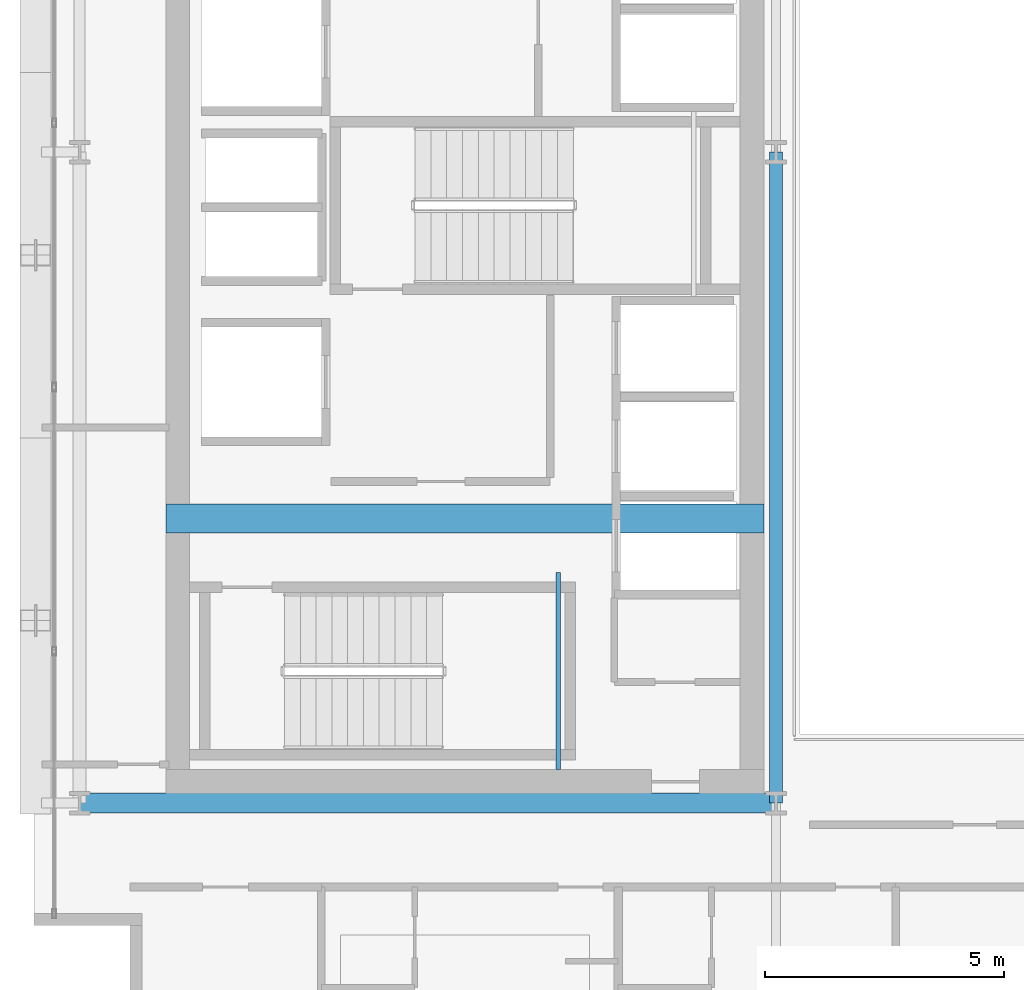
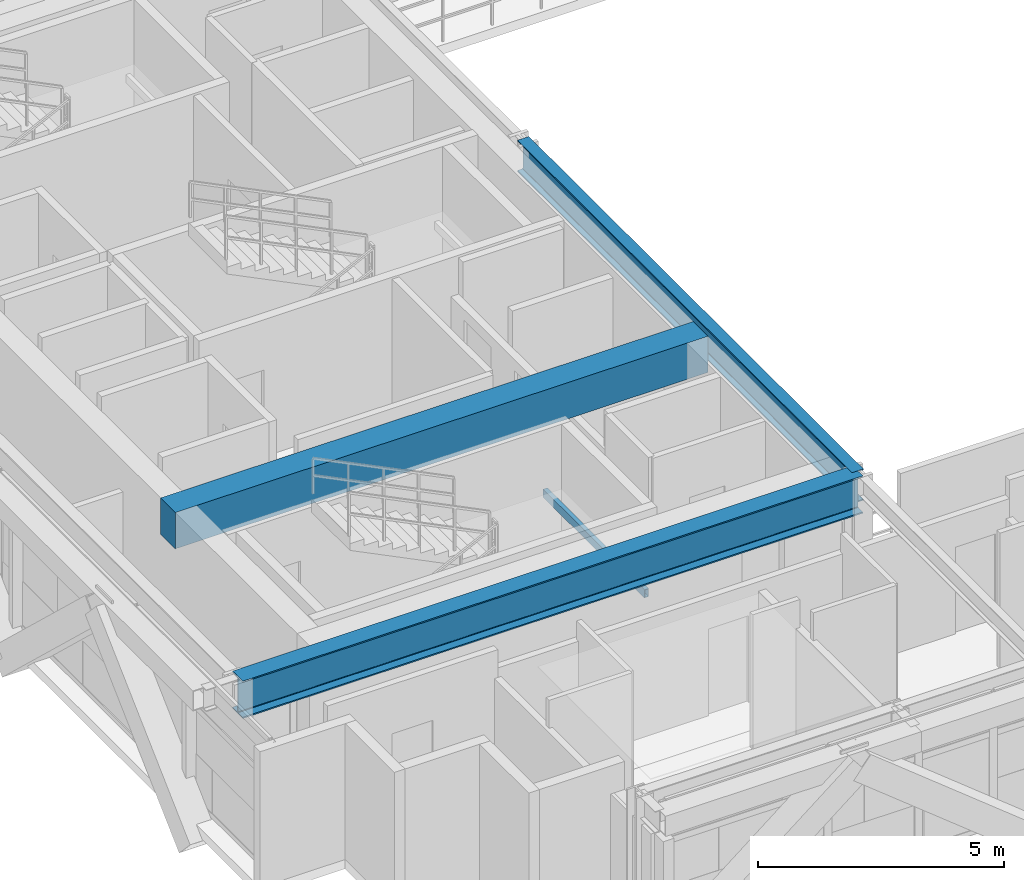
# One storey, part 5 of 31: 4 beams.
"""IFC4 building model written with IfcOpenShell, lengths in metres."""

from ifc_helpers import new_model, si_unit, direction, frame, origin, origin_2d, place, context, subcontext, project, spatial, rectangle, hollow_rectangle, i_section, extrude, source, transform, mapped, material, material_profile, profile_set, type_object, element, save


model = new_model("IFC4")

# Units and contexts
model_context = context("Model", 3, precision=1e-05, world=origin(), true_north=direction((0.0, 1.0)))
body_context = subcontext(model_context, "Body", "Model", "MODEL_VIEW")
ifc_project = project(units=[si_unit("LENGTHUNIT", "METRE"), si_unit("AREAUNIT", "SQUARE_METRE"), si_unit("VOLUMEUNIT", "CUBIC_METRE"), si_unit("PLANEANGLEUNIT", "RADIAN"), si_unit("MASSUNIT", "GRAM", prefix="KILO")], contexts=[model_context])

# Site, building, storey
site_placement = place(None, origin())
site = spatial("IfcSite", under=ifc_project, at=site_placement, CompositionType="ELEMENT")
building_placement = place(site_placement, origin())
building = spatial("IfcBuilding", under=site, at=building_placement, Name="Ocotamira Hotel", CompositionType="ELEMENT")
storey_placement = place(building_placement, frame((0.0, 0.0, 174.0)))
storey = spatial("IfcBuildingStorey", under=building, at=storey_placement, Name="L43", CompositionType="ELEMENT", Elevation=174.0)

# Beams
ifc_material_1 = material(Name="Concrete C50/60", Category="concrete")
ifc_material_profile_1 = material_profile(ifc_material_1, rectangle(XDim=0.60009765625, YDim=0.89990234375, at=origin_2d()), Name="RC600X900")
ifc_profile_set_1 = profile_set([ifc_material_profile_1], Name="Concrete C50/60")
beam_type_1 = type_object("IfcBeamType", Name="BM-LINK-RC600", PredefinedType="LINTEL", material=ifc_profile_set_1)
shared_shape_1 = source(origin(), body_context, "Body", "SweptSolid", [
    extrude(rectangle(XDim=0.60009765625, YDim=0.89990234375, at=origin_2d()), origin(), (0.0, 0.0, 1.0), 12.5),
])
beam_1_placement = place(storey_placement, frame((10.75, 20.5, 2.919921875), z_axis=(1.0, 0.0, 0.0), x_axis=(0.0, 1.0, 0.0)))
element("IfcBeam", 1, at=beam_1_placement, inside=storey, type_object=beam_type_1, Name="L43 West Core Coupling Beam", PredefinedType="LINTEL", context=body_context, shape_type="MappedRepresentation", body=[
    mapped(shared_shape_1, transform((0.0, 0.0, 0.0), scale=1.0)),
])
ifc_material_2 = material(Name="Steel ASTM A500 Grade C", Category="steel")
ifc_material_profile_2 = material_profile(ifc_material_2, hollow_rectangle(XDim=0.10009765625, YDim=0.199951171875, WallThickness=0.008056640625, at=origin_2d()), Name="HSS200X100X8")
ifc_profile_set_2 = profile_set([ifc_material_profile_2], Name="Steel ASTM A500 Grade C")
beam_type_2 = type_object("IfcBeamType", Name="BM-STLDG-HSS200", PredefinedType="BEAM", material=ifc_profile_set_2)
shared_shape_2 = source(origin(), body_context, "Body", "SweptSolid", [
    extrude(hollow_rectangle(XDim=0.10009765625, YDim=0.199951171875, WallThickness=0.008056640625, at=origin_2d()), origin(), (0.0, 0.0, 1.0), 4.1201171875),
])
beam_2_placement = place(storey_placement, frame((18.949951171875, 15.25, 1.5), z_axis=(0.0, 1.0, 0.0), x_axis=(-1.0, 0.0, 0.0)))
element("IfcBeam", 2, at=beam_2_placement, inside=storey, type_object=beam_type_2, Name="L43 Stair ST-1 Landing Bearer 1", PredefinedType="BEAM", context=body_context, shape_type="MappedRepresentation", body=[
    mapped(shared_shape_2, transform((0.0, 0.0, 0.0), scale=1.0)),
])
ifc_material_3 = material(Name="Steel ASTM A992 Grade 50", Category="steel")
ifc_material_profile_3 = material_profile(ifc_material_3, i_section(OverallWidth=0.41796875, OverallDepth=0.927001953125, WebThickness=0.019287109375, FlangeThickness=0.031982421875, FilletRadius=0.02392578125, at=origin_2d()), Name="W36X231")
ifc_profile_set_3 = profile_set([ifc_material_profile_3], Name="Steel ASTM A992 Grade 50")
beam_type_3 = type_object("IfcBeamType", Name="BM-GIRD-W36X231", PredefinedType="BEAM", material=ifc_profile_set_3)
shared_shape_3 = source(origin(), body_context, "Body", "SweptSolid", [
    extrude(i_section(OverallWidth=0.41796875, OverallDepth=0.927001953125, WebThickness=0.019287109375, FlangeThickness=0.031982421875, FilletRadius=0.02392578125, at=origin_2d()), origin(), (0.0, 0.0, 1.0), 14.550048828125),
])
beam_3_placement = place(storey_placement, frame((8.949951171875, 14.550048828125, 2.906494140625), z_axis=(1.0, 0.0, 0.0), x_axis=(0.0, 1.0, 0.0)))
element("IfcBeam", 3, at=beam_3_placement, inside=storey, type_object=beam_type_3, Name="L43 Girder Y14.55 X8.95-23.5", PredefinedType="BEAM", context=body_context, shape_type="MappedRepresentation", body=[
    mapped(shared_shape_3, transform((0.0, 0.0, 0.0), scale=1.0)),
])
ifc_material_profile_4 = material_profile(ifc_material_3, i_section(OverallWidth=0.26611328125, OverallDepth=0.779052734375, WebThickness=0.0166015625, FlangeThickness=0.030029296875, FilletRadius=0.01806640625, at=origin_2d()), Name="W30X148")
ifc_profile_set_4 = profile_set([ifc_material_profile_4], Name="Steel ASTM A992 Grade 50")
beam_type_4 = type_object("IfcBeamType", Name="BM-GIRD-W30X148", PredefinedType="BEAM", material=ifc_profile_set_4)
shared_shape_4 = source(origin(), body_context, "Body", "SweptSolid", [
    extrude(i_section(OverallWidth=0.26611328125, OverallDepth=0.779052734375, WebThickness=0.0166015625, FlangeThickness=0.030029296875, FilletRadius=0.01806640625, at=origin_2d()), origin(), (0.0, 0.0, 1.0), 13.599853515625),
])
beam_4_placement = place(storey_placement, frame((23.5, 14.550048828125, 2.98046875), z_axis=(0.0, 1.0, 0.0), x_axis=(-1.0, 0.0, 0.0)))
element("IfcBeam", 4, at=beam_4_placement, inside=storey, type_object=beam_type_4, Name="L43 Beam X23.5 Y14.55-28.15", PredefinedType="BEAM", context=body_context, shape_type="MappedRepresentation", body=[
    mapped(shared_shape_4, transform((0.0, 0.0, 0.0), scale=1.0)),
])

save(model, "model.ifc")
